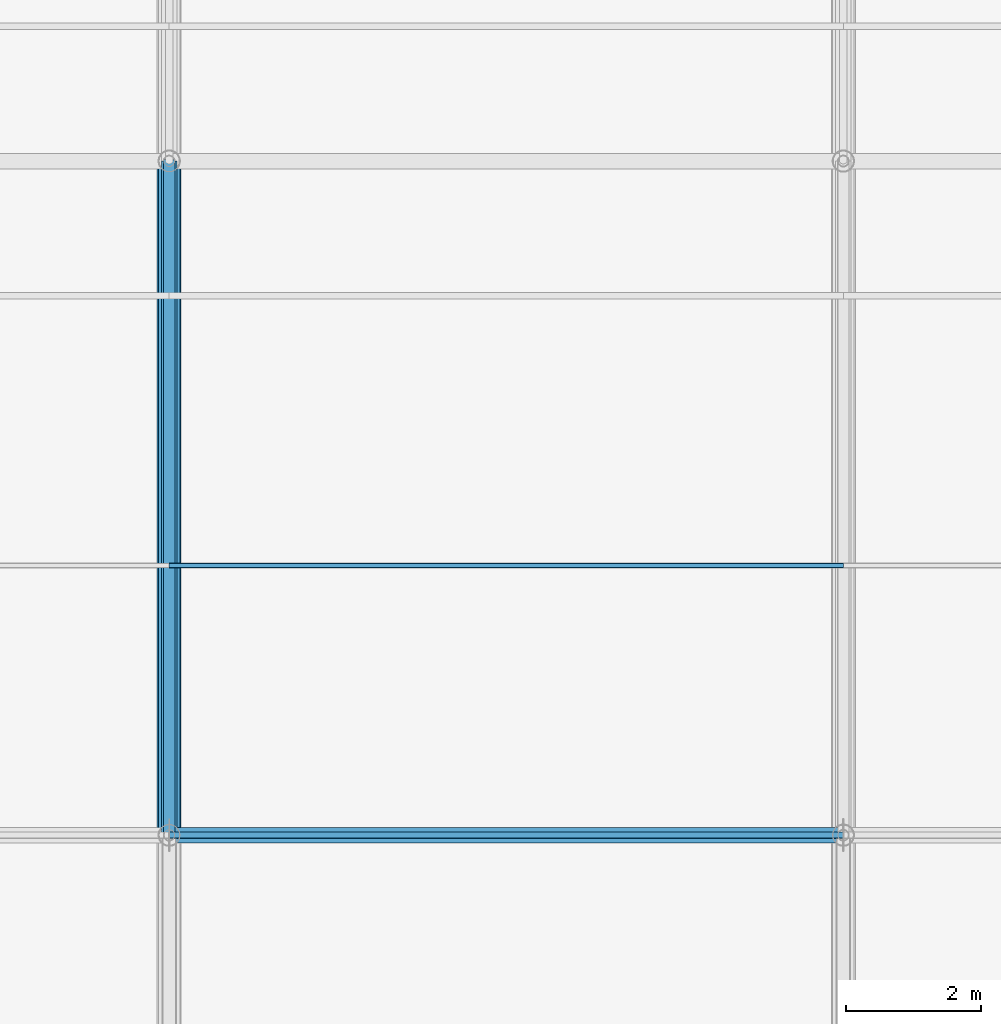
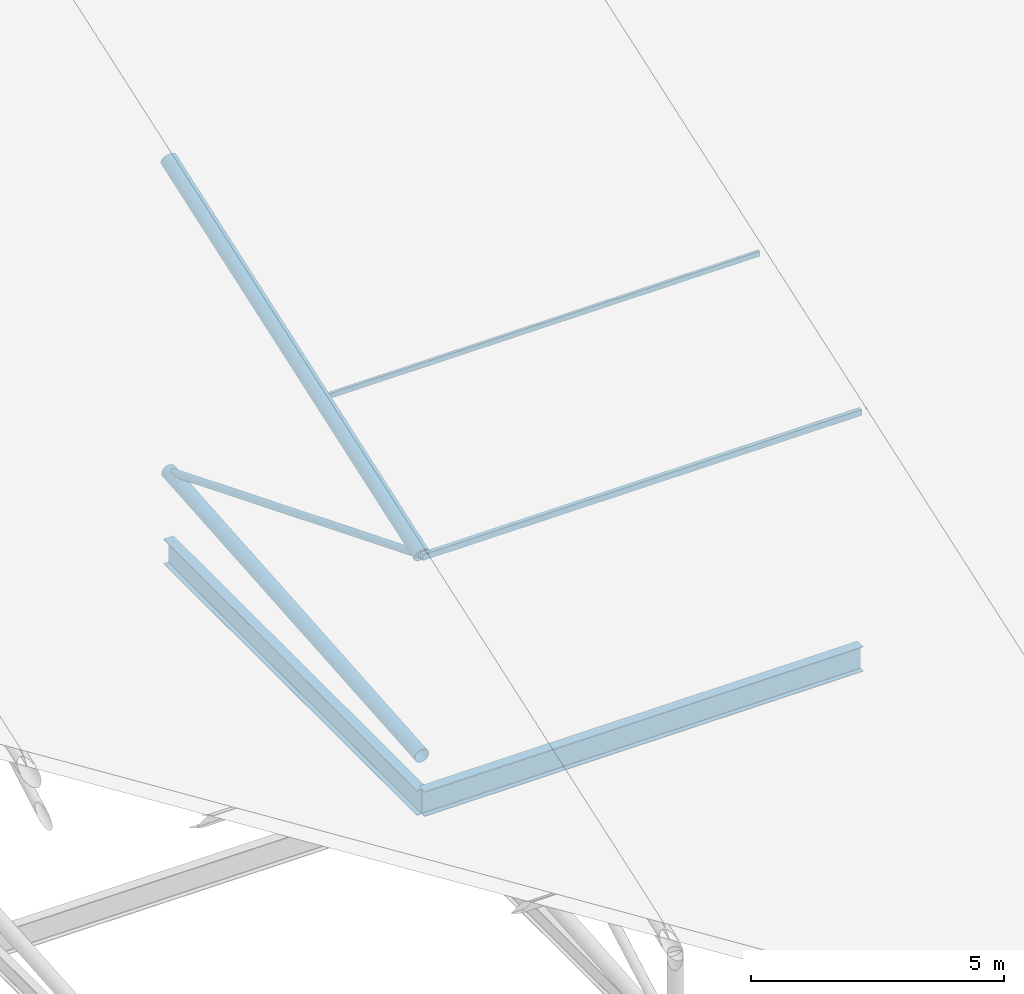
# One storey, part 20 of 93: 5 members, 2 beams.
"""IFC4 building model written with IfcOpenShell, lengths in metres."""

from ifc_helpers import new_model, si_unit, derived_unit, direction, frame, origin, origin_2d_with_axis, place, context, subcontext, project, spatial, hollow_rectangle, hollow_circle, i_section, extrude, material, material_profile, profile_set, type_object, element, save


model = new_model("IFC4")

# Units and contexts
model_context = context("Model", 3, precision=1e-05, world=origin(), true_north=direction((0.0, 1.0)))
body_context = subcontext(model_context, "Body", "Model", "MODEL_VIEW")
ifc_project = project(units=[si_unit("LENGTHUNIT", "METRE"), si_unit("AREAUNIT", "SQUARE_METRE"), si_unit("VOLUMEUNIT", "CUBIC_METRE"), si_unit("PLANEANGLEUNIT", "RADIAN"), si_unit("MASSUNIT", "GRAM", prefix="KILO"), derived_unit("THERMALTRANSMITTANCEUNIT", [(si_unit("POWERUNIT", "WATT"), 1), (si_unit("LENGTHUNIT", "METRE"), -2), (si_unit("THERMODYNAMICTEMPERATUREUNIT", "KELVIN"), -1)])], contexts=[model_context])

# Site, building, storey
site_placement = place(None, origin())
site = spatial("IfcSite", under=ifc_project, at=site_placement, CompositionType="ELEMENT")
building_placement = place(site_placement, origin())
building = spatial("IfcBuilding", under=site, at=building_placement, Name="Cinnabar Yard Market Hall", CompositionType="ELEMENT")
storey_placement = place(building_placement, frame((0.0, 0.0, 23.800048828125)))
storey = spatial("IfcBuildingStorey", under=building, at=storey_placement, Name="ROOF", CompositionType="ELEMENT", Elevation=23.800048828125)

# Beams
ifc_material_1 = material(Name="Steel Grade 300 (300 MPa)", Category="steel")
ifc_material_profile_1 = material_profile(ifc_material_1, i_section(OverallWidth=0.22802734375, OverallDepth=0.60205078125, WebThickness=0.010498046875, FlangeThickness=0.014892578125, FilletRadius=0.013916015625, at=origin_2d_with_axis()), Name="610UB101")
ifc_profile_set_1 = profile_set([ifc_material_profile_1], Name="Steel Grade 300 (300 MPa)")
beam_type = type_object("IfcBeamType", Name="BM-B02", PredefinedType="BEAM", material=ifc_profile_set_1)
for number, where, z_axis, x_axis, name in (
    (1, (116.0, 24.0, -9.700927734375), (1.0, 0.0, 0.0), (0.0, 1.0, 0.0), "Hall Longitudinal Tie Girder 00376"),
    (2, (116.0, 24.0, -9.700927734375), (0.0, 1.0, 0.0), (-1.0, 0.0, 0.0), "Hall Transverse Tie Girder 00428"),
):
    element("IfcBeam", number, at=place(storey_placement, frame(where, z_axis=z_axis, x_axis=x_axis)), inside=storey, type_object=beam_type, Name=name, PredefinedType="BEAM", context=body_context, shape_type="SweptSolid", body=[
        extrude(i_section(OverallWidth=0.22802734375, OverallDepth=0.60205078125, WebThickness=0.010498046875, FlangeThickness=0.014892578125, FilletRadius=0.013916015625, at=origin_2d_with_axis()), origin(), (0.0, 0.0, 1.0), 10.0),
    ])

# Members
ifc_material_2 = material(Name="Cold-formed steel C350L0", Category="steel")
ifc_material_profile_2 = material_profile(ifc_material_2, hollow_circle(Radius=0.161865234375, WallThickness=0.009521484375, at=origin_2d_with_axis()), Name="323.9x9.5CHS")
ifc_profile_set_2 = profile_set([ifc_material_profile_2], Name="Cold-formed steel C350L0")
member_type_1 = type_object("IfcMemberType", Name="MB-BC01", PredefinedType="CHORD", material=ifc_profile_set_2)
member_1_placement = place(storey_placement, frame((116.0, 24.0, -8.60009765625), z_axis=(0.0, 0.99681489162, 0.07975005859), x_axis=(-1.0, 0.0, 0.0)))
element("IfcMember", 3, at=member_1_placement, inside=storey, type_object=member_type_1, Name="Hall Truss 116 Bottom Chord 2", PredefinedType="CHORD", context=body_context, shape_type="SweptSolid", body=[
    extrude(hollow_circle(Radius=0.161865234375, WallThickness=0.009521484375, at=origin_2d_with_axis()), origin(), (0.0, 0.0, 1.0), 10.031982421875),
])
ifc_material_profile_3 = material_profile(ifc_material_2, hollow_circle(Radius=0.084228515625, WallThickness=0.00634765625, at=origin_2d_with_axis()), Name="168.3x6.4CHS")
ifc_profile_set_3 = profile_set([ifc_material_profile_3], Name="Cold-formed steel C350L0")
member_type_2 = type_object("IfcMemberType", Name="MB-DG02", PredefinedType="BRACE", material=ifc_profile_set_3)
member_2_placement = place(storey_placement, frame((116.0, 24.0, -3.76123046875), z_axis=(0.0, 0.927230348791, -0.374491495607), x_axis=(-1.0, 0.0, 0.0)))
element("IfcMember", 4, at=member_2_placement, inside=storey, type_object=member_type_2, Name="Hall Truss 116 Diagonal 2", PredefinedType="BRACE", context=body_context, shape_type="SweptSolid", body=[
    extrude(hollow_circle(Radius=0.084228515625, WallThickness=0.00634765625, at=origin_2d_with_axis()), origin(), (0.0, 0.0, 1.0), 10.784912109375),
])
ifc_material_profile_4 = material_profile(ifc_material_2, hollow_rectangle(XDim=0.10009765625, YDim=0.14990234375, WallThickness=0.0048828125, InnerFilletRadius=0.0048828125, OuterFilletRadius=0.010009765625, at=origin_2d_with_axis()), Name="150x100x5.0RHS")
ifc_profile_set_4 = profile_set([ifc_material_profile_4], Name="Cold-formed steel C350L0")
member_type_3 = type_object("IfcMemberType", Name="MB-PU03", PredefinedType="PURLIN", material=ifc_profile_set_4)
member_3_placement = place(storey_placement, frame((116.0, 24.0, -3.80126953125), z_axis=(1.0, 0.0, 0.0), x_axis=(0.0, 1.0, 0.0)))
element("IfcMember", 5, at=member_3_placement, inside=storey, type_object=member_type_3, Name="Hall Roof Purlin Y24 X116", PredefinedType="PURLIN", context=body_context, shape_type="SweptSolid", body=[
    extrude(hollow_rectangle(XDim=0.10009765625, YDim=0.14990234375, WallThickness=0.0048828125, InnerFilletRadius=0.0048828125, OuterFilletRadius=0.010009765625, at=origin_2d_with_axis()), origin(), (0.0, 0.0, 1.0), 10.0),
])
ifc_material_profile_5 = material_profile(ifc_material_2, hollow_rectangle(XDim=0.074951171875, YDim=0.125, WallThickness=0.0048828125, InnerFilletRadius=0.0048828125, OuterFilletRadius=0.010009765625, at=origin_2d_with_axis()), Name="125x75x5.0RHS")
ifc_profile_set_5 = profile_set([ifc_material_profile_5], Name="Cold-formed steel C350L0")
member_type_4 = type_object("IfcMemberType", Name="MB-PU04", PredefinedType="PURLIN", material=ifc_profile_set_5)
member_4_placement = place(storey_placement, frame((116.0, 28.0, -2.4091796875), z_axis=(1.0, 0.0, 0.0), x_axis=(0.0, 1.0, 0.0)))
element("IfcMember", 6, at=member_4_placement, inside=storey, type_object=member_type_4, Name="Hall Roof Purlin Y28 X116", PredefinedType="PURLIN", context=body_context, shape_type="SweptSolid", body=[
    extrude(hollow_rectangle(XDim=0.074951171875, YDim=0.125, WallThickness=0.0048828125, InnerFilletRadius=0.0048828125, OuterFilletRadius=0.010009765625, at=origin_2d_with_axis()), origin(), (0.0, 0.0, 1.0), 10.0),
])
ifc_material_profile_6 = material_profile(ifc_material_2, hollow_circle(Radius=0.177734375, WallThickness=0.0126953125, at=origin_2d_with_axis()), Name="355.6x12.7CHS")
ifc_profile_set_6 = profile_set([ifc_material_profile_6], Name="Cold-formed steel C350L0")
member_type_5 = type_object("IfcMemberType", Name="MB-TC01", PredefinedType="CHORD", material=ifc_profile_set_6)
member_5_placement = place(storey_placement, frame((116.0, 24.0, -3.76123046875), z_axis=(0.0, 0.944432077625, 0.328706633267), x_axis=(-1.0, 0.0, 0.0)))
element("IfcMember", 7, at=member_5_placement, inside=storey, type_object=member_type_5, Name="Hall Truss 116 Top Chord 2", PredefinedType="CHORD", context=body_context, shape_type="SweptSolid", body=[
    extrude(hollow_circle(Radius=0.177734375, WallThickness=0.0126953125, at=origin_2d_with_axis()), origin(), (0.0, 0.0, 1.0), 10.58837890625),
])

save(model, "model.ifc")
